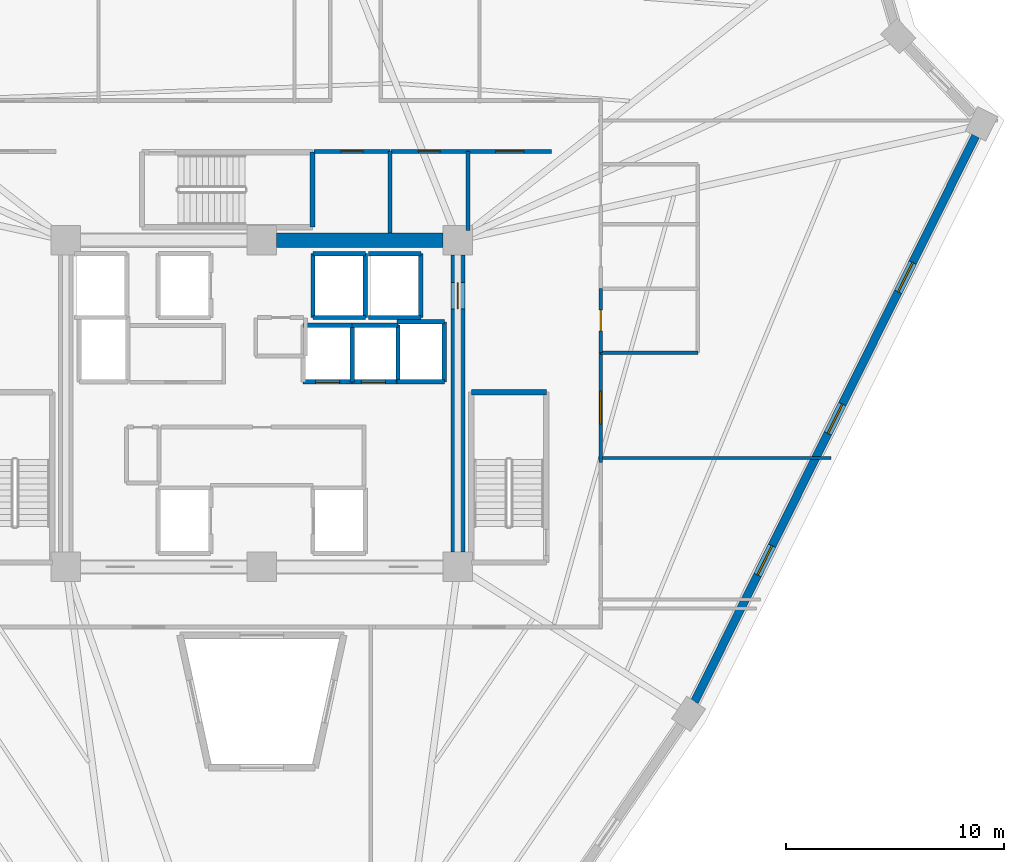
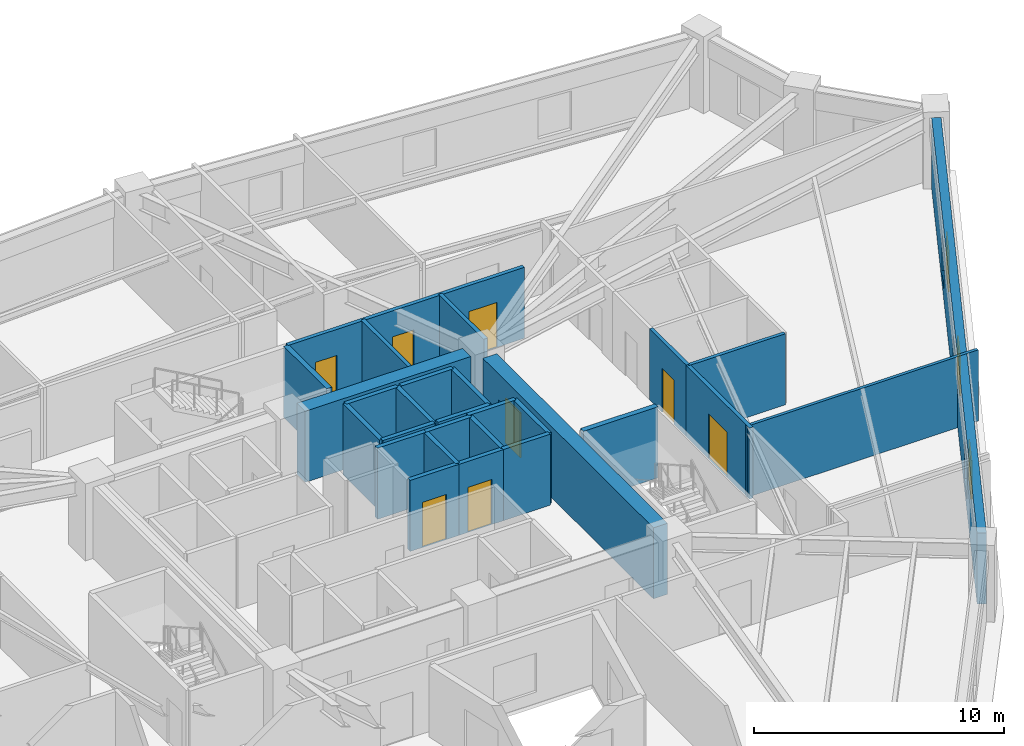
# One storey, part 6 of 9: 30 walls, 8 doors, 3 windows, 11 openings.
"""IFC4 building model written with IfcOpenShell, lengths in metres."""

from ifc_helpers import new_model, si_unit, direction, frame, frame_2d, origin, place, context, subcontext, project, spatial, rectangle, extrude, source, transform, mapped, material, layer, layer_set, type_object, element, fill, save


model = new_model("IFC4")

# Units and contexts
model_context = context("Model", 3, precision=1e-05, world=origin(), true_north=direction((0.0, 1.0)))
body_context = subcontext(model_context, "Body", "Model", "MODEL_VIEW")
ifc_project = project(units=[si_unit("LENGTHUNIT", "METRE"), si_unit("AREAUNIT", "SQUARE_METRE"), si_unit("VOLUMEUNIT", "CUBIC_METRE"), si_unit("PLANEANGLEUNIT", "RADIAN"), si_unit("MASSUNIT", "GRAM", prefix="KILO")], contexts=[model_context])

# Site, building, storey
site_placement = place(None, origin())
site = spatial("IfcSite", under=ifc_project, at=site_placement, CompositionType="ELEMENT")
building_placement = place(site_placement, origin())
building = spatial("IfcBuilding", under=site, at=building_placement, Name="Liaohun Quay Tower", CompositionType="ELEMENT")
storey_placement = place(building_placement, frame((0.0, 0.0, 228.0)))
storey = spatial("IfcBuildingStorey", under=building, at=storey_placement, Name="L59", CompositionType="ELEMENT", Elevation=228.0)

# Wall
ifc_material_1 = material(Name="Concrete C55", Category="concrete")
ifc_layer_1 = layer(ifc_material_1, 0.64990234375, Name="Concrete C55", Category="concrete")
ifc_layer_set_1 = layer_set([ifc_layer_1], Name="Concrete C55")
wall_type_1 = type_object("IfcWallType", Name="WAL-COR-Z3", PredefinedType="SHEAR", material=ifc_layer_set_1)
wall_1_placement = place(storey_placement, frame((60.675048828125, 61.5, 0.0), z_axis=(0.0, 0.0, 1.0), x_axis=(1.0, 0.0, 0.0)))
element("IfcWall", 1, at=wall_1_placement, inside=storey, type_object=wall_type_1, Name="L59 Central Core Shear Wall N-E", PredefinedType="SHEAR", context=body_context, shape_type="SweptSolid", body=[
    extrude(rectangle(XDim=7.64990234375, YDim=0.64990234375, at=frame_2d((3.824951171875, 0.0))), origin(), (0.0, 0.0, 1.0), 3.469970703125),
])

# Wall, opening, door
wall_2_placement = place(storey_placement, frame((69.0, 60.824951171875, 0.0), z_axis=(0.0, 0.0, 1.0), x_axis=(0.0, -1.0, 0.0)))
wall_2 = element("IfcWall", 2, at=wall_2_placement, inside=storey, type_object=wall_type_1, Name="L59 Central Core Shear Wall E", PredefinedType="SHEAR", context=body_context, shape_type="SweptSolid", body=[
    extrude(rectangle(XDim=13.64990234375, YDim=0.64990234375, at=frame_2d((6.824951171875, 0.0))), origin(), (0.0, 0.0, 1.0), 3.469970703125),
])
shared_shape_1 = source(origin(), body_context, "Body", "SweptSolid", [
    extrude(rectangle(XDim=1.199951171875, YDim=2.199951171875, at=frame_2d((0.60009765625, 1.10009765625))), frame((0.0, 0.3349609375, 0.0), z_axis=(0.0, -1.0, 0.0), x_axis=(1.0, 0.0, 0.0)), (0.0, 0.0, 1.0), 0.669921875),
])
opening_1_placement = place(wall_2_placement, frame((1.27490234375, 0.0, 0.0)))
opening_1 = element("IfcOpeningElement", 3, at=opening_1_placement, cuts=wall_2, Name="Opening SD1", PredefinedType="OPENING", context=body_context, shape_type="MappedRepresentation", body=[
    mapped(shared_shape_1, transform((0.0, 0.0, 0.0), x_axis=(1.0, 0.0, 0.0), y_axis=(0.0, 1.0, 0.0), z_axis=(0.0, 0.0, 1.0), scale=1.0)),
])
ifc_material_2 = material(Name="Galvanised steel fire door", Category="steel")
door_type_1 = type_object("IfcDoorType", Name="DOR-STR-1200", OperationType="NOTDEFINED", PredefinedType="DOOR", material=ifc_material_2)
shared_shape_2 = source(origin(), body_context, "Body", "SweptSolid", [
    extrude(rectangle(XDim=1.199951171875, YDim=2.199951171875, at=frame_2d((0.60009765625, 1.10009765625))), frame((0.0, 0.02490234375, 0.0), z_axis=(0.0, -1.0, 0.0), x_axis=(1.0, 0.0, 0.0)), (0.0, 0.0, 1.0), 0.050048828125),
])
door_1_placement = place(opening_1_placement, origin())
door_1 = element("IfcDoor", 4, at=door_1_placement, inside=storey, type_object=door_type_1, Name="L59 North-East Core Lobby Smokeproof Door", OperationType="SINGLE_SWING_LEFT", OverallHeight=2.199951171875, OverallWidth=1.199951171875, PredefinedType="DOOR", context=body_context, shape_type="MappedRepresentation", body=[
    mapped(shared_shape_2, transform((0.0, 0.0, 0.0), x_axis=(1.0, 0.0, 0.0), y_axis=(0.0, 1.0, 0.0), z_axis=(0.0, 0.0, 1.0), scale=1.0)),
])
fill(opening_1, door_1)

# Wall, openings, windows
ifc_material_3 = material(Name="Precast concrete C50 insulated sandwich", Category="concrete")
ifc_layer_2 = layer(ifc_material_3, 0.3798828125, Name="Precast concrete C50 insulated sandwich", Category="concrete")
ifc_layer_set_2 = layer_set([ifc_layer_2], Name="Precast concrete C50 insulated sandwich")
wall_type_2 = type_object("IfcWallType", Name="WAL-EXT-Z34", PredefinedType="SOLIDWALL", material=ifc_layer_set_2)
wall_3_placement = place(storey_placement, frame((79.866943359375, 40.304931640625, 0.0), z_axis=(0.0, 0.0, 1.0), x_axis=(0.444873284972, 0.895593524049, 0.0)))
wall_3 = element("IfcWall", 5, at=wall_3_placement, inside=storey, type_object=wall_type_2, Name="L59 Brutalist Precast Pier Wall 03", PredefinedType="SOLIDWALL", context=body_context, shape_type="SweptSolid", body=[
    extrude(rectangle(XDim=29.019775390625, YDim=0.3798828125, at=frame_2d((14.509765625, 0.0))), origin(), (0.0, 0.0, 1.0), 3.469970703125),
])
shared_shape_3 = source(origin(), body_context, "Body", "SweptSolid", [
    extrude(rectangle(XDim=1.5, YDim=1.89990234375, at=frame_2d((0.75, 0.949951171875))), frame((0.0, 0.199951171875, 0.0), z_axis=(0.0, -1.0, 0.0), x_axis=(1.0, 0.0, 0.0)), (0.0, 0.0, 1.0), 0.39990234375),
])
opening_2_placement = place(wall_3_placement, frame((6.5048828125, 0.0, 0.550048828125)))
opening_2 = element("IfcOpeningElement", 6, at=opening_2_placement, cuts=wall_3, Name="Opening W03", PredefinedType="OPENING", context=body_context, shape_type="MappedRepresentation", body=[
    mapped(shared_shape_3, transform((0.0, 0.0, 0.0), x_axis=(1.0, 0.0, 0.0), y_axis=(0.0, 1.0, 0.0), z_axis=(0.0, 0.0, 1.0), scale=1.0)),
])
opening_3_placement = place(wall_3_placement, frame((13.760009765625, 0.0, 0.550048828125)))
opening_3 = element("IfcOpeningElement", 7, at=opening_3_placement, cuts=wall_3, Name="Opening W03", PredefinedType="OPENING", context=body_context, shape_type="MappedRepresentation", body=[
    mapped(shared_shape_3, transform((0.0, 0.0, 0.0), x_axis=(1.0, 0.0, 0.0), y_axis=(0.0, 1.0, 0.0), z_axis=(0.0, 0.0, 1.0), scale=1.0)),
])
opening_4_placement = place(wall_3_placement, frame((21.014892578125, 0.0, 0.550048828125)))
opening_4 = element("IfcOpeningElement", 8, at=opening_4_placement, cuts=wall_3, Name="Opening W03", PredefinedType="OPENING", context=body_context, shape_type="MappedRepresentation", body=[
    mapped(shared_shape_3, transform((0.0, 0.0, 0.0), x_axis=(1.0, 0.0, 0.0), y_axis=(0.0, 1.0, 0.0), z_axis=(0.0, 0.0, 1.0), scale=1.0)),
])
ifc_material_4 = material(Name="Triple Low-E argon glazing in thermally broken aluminium", Category="aluminium")
window_type = type_object("IfcWindowType", Name="WIN-PUN-Z3", PartitioningType="DOUBLE_PANEL_VERTICAL", PredefinedType="WINDOW", material=ifc_material_4)
shared_shape_4 = source(origin(), body_context, "Body", "SweptSolid", [
    extrude(rectangle(XDim=1.5, YDim=1.89990234375, at=frame_2d((0.75, 0.949951171875))), frame((0.0, 0.030029296875, 0.0), z_axis=(0.0, -1.0, 0.0), x_axis=(1.0, 0.0, 0.0)), (0.0, 0.0, 1.0), 0.06005859375),
])
window_1_placement = place(opening_2_placement, origin())
window_1 = element("IfcWindow", 9, at=window_1_placement, inside=storey, type_object=window_type, Name="L59 Recessed Cold-Climate Punched Window 03-1", OverallHeight=1.89990234375, OverallWidth=1.5, PartitioningType="DOUBLE_PANEL_VERTICAL", PredefinedType="WINDOW", context=body_context, shape_type="MappedRepresentation", body=[
    mapped(shared_shape_4, transform((0.0, 0.0, 0.0), x_axis=(1.0, 0.0, 0.0), y_axis=(0.0, 1.0, 0.0), z_axis=(0.0, 0.0, 1.0), scale=1.0)),
])
fill(opening_2, window_1)
window_2_placement = place(opening_3_placement, origin())
window_2 = element("IfcWindow", 10, at=window_2_placement, inside=storey, type_object=window_type, Name="L59 Recessed Cold-Climate Punched Window 03-2", OverallHeight=1.89990234375, OverallWidth=1.5, PartitioningType="DOUBLE_PANEL_VERTICAL", PredefinedType="WINDOW", context=body_context, shape_type="MappedRepresentation", body=[
    mapped(shared_shape_4, transform((0.0, 0.0, 0.0), x_axis=(1.0, 0.0, 0.0), y_axis=(0.0, 1.0, 0.0), z_axis=(0.0, 0.0, 1.0), scale=1.0)),
])
fill(opening_3, window_2)
window_3_placement = place(opening_4_placement, origin())
window_3 = element("IfcWindow", 11, at=window_3_placement, inside=storey, type_object=window_type, Name="L59 Recessed Cold-Climate Punched Window 03-3", OverallHeight=1.89990234375, OverallWidth=1.5, PartitioningType="DOUBLE_PANEL_VERTICAL", PredefinedType="WINDOW", context=body_context, shape_type="MappedRepresentation", body=[
    mapped(shared_shape_4, transform((0.0, 0.0, 0.0), x_axis=(1.0, 0.0, 0.0), y_axis=(0.0, 1.0, 0.0), z_axis=(0.0, 0.0, 1.0), scale=1.0)),
])
fill(opening_4, window_3)

# Wall, opening, door
ifc_material_5 = material(Name="Autoclaved aerated concrete blockwork", Category="masonry")
ifc_layer_3 = layer(ifc_material_5, 0.179931640625, Name="Autoclaved aerated concrete blockwork", Category="masonry")
ifc_layer_set_3 = layer_set([ifc_layer_3], Name="Autoclaved aerated concrete blockwork")
wall_type_3 = type_object("IfcWallType", Name="WAL-PRT-COR", PredefinedType="PARTITIONING", material=ifc_layer_set_3)
wall_4_placement = place(storey_placement, frame((62.389892578125, 65.580078125, 0.0), z_axis=(0.0, 0.0, 1.0), x_axis=(1.0, 0.0, 0.0)))
wall_4 = element("IfcWall", 12, at=wall_4_placement, inside=storey, type_object=wall_type_3, Name="L59 Interior Partition Wall 008", PredefinedType="PARTITIONING", context=body_context, shape_type="SweptSolid", body=[
    extrude(rectangle(XDim=3.489990234375, YDim=0.179931640625, at=frame_2d((1.7451171875, 0.0))), origin(), (0.0, 0.0, 1.0), 3.469970703125),
])
shared_shape_5 = source(origin(), body_context, "Body", "SweptSolid", [
    extrude(rectangle(XDim=1.0, YDim=2.199951171875, at=frame_2d((0.5, 1.10009765625))), frame((0.0, 0.099853515625, 0.0), z_axis=(0.0, -1.0, 0.0), x_axis=(1.0, 0.0, 0.0)), (0.0, 0.0, 1.0), 0.199951171875),
])
opening_5_placement = place(wall_4_placement, frame((1.2451171875, 0.0, 0.0)))
opening_5 = element("IfcOpeningElement", 13, at=opening_5_placement, cuts=wall_4, Name="Opening OD1", PredefinedType="OPENING", context=body_context, shape_type="MappedRepresentation", body=[
    mapped(shared_shape_5, transform((0.0, 0.0, 0.0), x_axis=(1.0, 0.0, 0.0), y_axis=(0.0, 1.0, 0.0), z_axis=(0.0, 0.0, 1.0), scale=1.0)),
])
ifc_material_6 = material(Name="Solid-core oak veneer timber leaf in steel frame", Category="steel")
door_type_2 = type_object("IfcDoorType", Name="DOR-OFF-1000", OperationType="NOTDEFINED", PredefinedType="DOOR", material=ifc_material_6)
shared_shape_6 = source(origin(), body_context, "Body", "SweptSolid", [
    extrude(rectangle(XDim=1.0, YDim=2.199951171875, at=frame_2d((0.5, 1.10009765625))), frame((0.0, 0.02490234375, 0.0), z_axis=(0.0, -1.0, 0.0), x_axis=(1.0, 0.0, 0.0)), (0.0, 0.0, 1.0), 0.050048828125),
])
door_2_placement = place(opening_5_placement, origin())
door_2 = element("IfcDoor", 14, at=door_2_placement, inside=storey, type_object=door_type_2, Name="L59 North-East Archive Store Door", OperationType="SINGLE_SWING_LEFT", OverallHeight=2.199951171875, OverallWidth=1.0, PredefinedType="DOOR", context=body_context, shape_type="MappedRepresentation", body=[
    mapped(shared_shape_6, transform((0.0, 0.0, 0.0), x_axis=(1.0, 0.0, 0.0), y_axis=(0.0, 1.0, 0.0), z_axis=(0.0, 0.0, 1.0), scale=1.0)),
])
fill(opening_5, door_2)

wall_5_placement = place(storey_placement, frame((65.919921875, 65.580078125, 0.0), z_axis=(0.0, 0.0, 1.0), x_axis=(1.0, 0.0, 0.0)))
wall_5 = element("IfcWall", 15, at=wall_5_placement, inside=storey, type_object=wall_type_3, Name="L59 Interior Partition Wall 009", PredefinedType="PARTITIONING", context=body_context, shape_type="SweptSolid", body=[
    extrude(rectangle(XDim=3.5400390625, YDim=0.179931640625, at=frame_2d((1.77001953125, 0.0))), origin(), (0.0, 0.0, 1.0), 3.469970703125),
])
opening_6_placement = place(wall_5_placement, frame((1.27001953125, 0.0, 0.0)))
opening_6 = element("IfcOpeningElement", 16, at=opening_6_placement, cuts=wall_5, Name="Opening OD1", PredefinedType="OPENING", context=body_context, shape_type="MappedRepresentation", body=[
    mapped(shared_shape_5, transform((0.0, 0.0, 0.0), x_axis=(1.0, 0.0, 0.0), y_axis=(0.0, 1.0, 0.0), z_axis=(0.0, 0.0, 1.0), scale=1.0)),
])
door_3_placement = place(opening_6_placement, origin())
door_3 = element("IfcDoor", 17, at=door_3_placement, inside=storey, type_object=door_type_2, Name="L59 North-East Pantry Room Door", OperationType="SINGLE_SWING_RIGHT", OverallHeight=2.199951171875, OverallWidth=1.0, PredefinedType="DOOR", context=body_context, shape_type="MappedRepresentation", body=[
    mapped(shared_shape_6, transform((0.0, 0.0, 0.0), x_axis=(1.0, 0.0, 0.0), y_axis=(0.0, 1.0, 0.0), z_axis=(0.0, 0.0, 1.0), scale=1.0)),
])
fill(opening_6, door_3)

wall_6_placement = place(storey_placement, frame((69.4599609375, 65.580078125, 0.0), z_axis=(0.0, 0.0, 1.0), x_axis=(1.0, 0.0, 0.0)))
wall_6 = element("IfcWall", 18, at=wall_6_placement, inside=storey, type_object=wall_type_3, Name="L59 Interior Partition Wall 011", PredefinedType="PARTITIONING", context=body_context, shape_type="SweptSolid", body=[
    extrude(rectangle(XDim=3.840087890625, YDim=0.179931640625, at=frame_2d((1.919921875, 0.0))), origin(), (0.0, 0.0, 1.0), 3.469970703125),
])
shared_shape_7 = source(origin(), body_context, "Body", "SweptSolid", [
    extrude(rectangle(XDim=1.300048828125, YDim=2.199951171875, at=frame_2d((0.64990234375, 1.10009765625))), frame((0.0, 0.099853515625, 0.0), z_axis=(0.0, -1.0, 0.0), x_axis=(1.0, 0.0, 0.0)), (0.0, 0.0, 1.0), 0.199951171875),
])
opening_7_placement = place(wall_6_placement, frame((1.27001953125, 0.0, 0.0)))
opening_7 = element("IfcOpeningElement", 19, at=opening_7_placement, cuts=wall_6, Name="Opening FD1", PredefinedType="OPENING", context=body_context, shape_type="MappedRepresentation", body=[
    mapped(shared_shape_7, transform((0.0, 0.0, 0.0), x_axis=(1.0, 0.0, 0.0), y_axis=(0.0, 1.0, 0.0), z_axis=(0.0, 0.0, 1.0), scale=1.0)),
])
ifc_material_7 = material(Name="Galvanised steel smokeproof fire door", Category="steel")
door_type_3 = type_object("IfcDoorType", Name="DOR-FFL-1300", OperationType="NOTDEFINED", PredefinedType="DOOR", material=ifc_material_7)
shared_shape_8 = source(origin(), body_context, "Body", "SweptSolid", [
    extrude(rectangle(XDim=1.300048828125, YDim=2.199951171875, at=frame_2d((0.64990234375, 1.10009765625))), frame((0.0, 0.02490234375, 0.0), z_axis=(0.0, -1.0, 0.0), x_axis=(1.0, 0.0, 0.0)), (0.0, 0.0, 1.0), 0.050048828125),
])
door_4_placement = place(opening_7_placement, origin())
door_4 = element("IfcDoor", 20, at=door_4_placement, inside=storey, type_object=door_type_3, Name="L59 East Core Vestibule Door", OperationType="SINGLE_SWING_RIGHT", OverallHeight=2.199951171875, OverallWidth=1.300048828125, PredefinedType="DOOR", context=body_context, shape_type="MappedRepresentation", body=[
    mapped(shared_shape_8, transform((0.0, 0.0, 0.0), x_axis=(1.0, 0.0, 0.0), y_axis=(0.0, 1.0, 0.0), z_axis=(0.0, 0.0, 1.0), scale=1.0)),
])
fill(opening_7, door_4)

wall_7_placement = place(storey_placement, frame((75.56005859375, 56.340087890625, 0.0), z_axis=(0.0, 0.0, 1.0), x_axis=(0.0, -1.0, 0.0)))
wall_7 = element("IfcWall", 21, at=wall_7_placement, inside=storey, type_object=wall_type_3, Name="L59 Interior Partition Wall 012", PredefinedType="PARTITIONING", context=body_context, shape_type="SweptSolid", body=[
    extrude(rectangle(XDim=5.05517578125, YDim=0.179931640625, at=frame_2d((2.527587890625, 0.0))), origin(), (0.0, 0.0, 1.0), 3.469970703125),
])
shared_shape_9 = source(origin(), body_context, "Body", "SweptSolid", [
    extrude(rectangle(XDim=1.5, YDim=2.199951171875, at=frame_2d((0.75, 1.10009765625))), frame((0.0, 0.099853515625, 0.0), z_axis=(0.0, -1.0, 0.0), x_axis=(1.0, 0.0, 0.0)), (0.0, 0.0, 1.0), 0.199951171875),
])
opening_8_placement = place(wall_7_placement, frame((1.778076171875, 0.0, 0.0)))
opening_8 = element("IfcOpeningElement", 22, at=opening_8_placement, cuts=wall_7, Name="Opening OD2", PredefinedType="OPENING", context=body_context, shape_type="MappedRepresentation", body=[
    mapped(shared_shape_9, transform((0.0, 0.0, 0.0), x_axis=(1.0, 0.0, 0.0), y_axis=(0.0, 1.0, 0.0), z_axis=(0.0, 0.0, 1.0), scale=1.0)),
])
ifc_material_8 = material(Name="Acoustic oak veneer double door")
door_type_4 = type_object("IfcDoorType", Name="DOR-OFF-1500", OperationType="DOUBLE_DOOR_SINGLE_SWING", PredefinedType="DOOR", material=ifc_material_8)
shared_shape_10 = source(origin(), body_context, "Body", "SweptSolid", [
    extrude(rectangle(XDim=1.5, YDim=2.199951171875, at=frame_2d((0.75, 1.10009765625))), frame((0.0, 0.02490234375, 0.0), z_axis=(0.0, -1.0, 0.0), x_axis=(1.0, 0.0, 0.0)), (0.0, 0.0, 1.0), 0.050048828125),
])
door_5_placement = place(opening_8_placement, origin())
door_5 = element("IfcDoor", 23, at=door_5_placement, inside=storey, type_object=door_type_4, Name="L59 Staff Daycare Nursery 01 Door", OperationType="DOUBLE_DOOR_SINGLE_SWING", OverallHeight=2.199951171875, OverallWidth=1.5, PredefinedType="DOOR", context=body_context, shape_type="MappedRepresentation", body=[
    mapped(shared_shape_10, transform((0.0, 0.0, 0.0), x_axis=(1.0, 0.0, 0.0), y_axis=(0.0, 1.0, 0.0), z_axis=(0.0, 0.0, 1.0), scale=1.0)),
])
fill(opening_8, door_5)

# Walls
wall_8_placement = place(storey_placement, frame((65.8798828125, 61.824951171875, 0.0), z_axis=(0.0, 0.0, 1.0), x_axis=(0.0, 1.0, 0.0)))
element("IfcWall", 24, at=wall_8_placement, inside=storey, type_object=wall_type_3, Name="L59 Interior Partition Wall 035", PredefinedType="PARTITIONING", context=body_context, shape_type="SweptSolid", body=[
    extrude(rectangle(XDim=3.755126953125, YDim=0.179931640625, at=frame_2d((1.87744140625, 0.0))), origin(), (0.0, 0.0, 1.0), 3.469970703125),
])
wall_9_placement = place(storey_placement, frame((69.4599609375, 61.949951171875, 0.0), z_axis=(0.0, 0.0, 1.0), x_axis=(0.0, 1.0, 0.0)))
element("IfcWall", 25, at=wall_9_placement, inside=storey, type_object=wall_type_3, Name="L59 Interior Partition Wall 036", PredefinedType="PARTITIONING", context=body_context, shape_type="SweptSolid", body=[
    extrude(rectangle(XDim=3.630126953125, YDim=0.179931640625, at=frame_2d((1.81494140625, 0.0))), origin(), (0.0, 0.0, 1.0), 3.469970703125),
])
ifc_material_9 = material(Name="Gypsum board on twin steel studs", Category="steel")
ifc_layer_4 = layer(ifc_material_9, 0.139892578125, Name="Gypsum board on twin steel studs", Category="steel")
ifc_layer_set_4 = layer_set([ifc_layer_4], Name="Gypsum board on twin steel studs")
wall_type_4 = type_object("IfcWallType", Name="WAL-PRT-OFF", PredefinedType="PARTITIONING", material=ifc_layer_set_4)
wall_10_placement = place(storey_placement, frame((75.4599609375, 51.5, 0.0), z_axis=(0.0, 0.0, 1.0), x_axis=(1.0, 0.0, 0.0)))
element("IfcWall", 26, at=wall_10_placement, inside=storey, type_object=wall_type_4, Name="L59 Interior Partition Wall 052", PredefinedType="PARTITIONING", context=body_context, shape_type="SweptSolid", body=[
    extrude(rectangle(XDim=10.671142578125, YDim=0.139892578125, at=frame_2d((5.33544921875, 0.0))), origin(), (0.0, 0.0, 1.0), 3.469970703125),
])

# Wall, opening, door
ifc_material_10 = material(Name="Moisture-resistant masonry blockwork", Category="masonry")
ifc_layer_5 = layer(ifc_material_10, 0.159912109375, Name="Moisture-resistant masonry blockwork", Category="masonry")
ifc_layer_set_5 = layer_set([ifc_layer_5], Name="Moisture-resistant masonry blockwork")
wall_type_5 = type_object("IfcWallType", Name="WAL-PRT-WET", PredefinedType="PARTITIONING", material=ifc_layer_set_5)
wall_11_placement = place(storey_placement, frame((75.56005859375, 56.340087890625, 0.0), z_axis=(0.0, 0.0, 1.0), x_axis=(0.0, 1.0, 0.0)))
wall_11 = element("IfcWall", 27, at=wall_11_placement, inside=storey, type_object=wall_type_5, Name="L59 Interior Partition Wall 005", PredefinedType="PARTITIONING", context=body_context, shape_type="SweptSolid", body=[
    extrude(rectangle(XDim=2.93994140625, YDim=0.159912109375, at=frame_2d((1.469970703125, 0.0))), origin(), (0.0, 0.0, 1.0), 3.469970703125),
])
shared_shape_11 = source(origin(), body_context, "Body", "SweptSolid", [
    extrude(rectangle(XDim=0.949951171875, YDim=2.14990234375, at=frame_2d((0.47509765625, 1.074951171875))), frame((0.0, 0.08984375, 0.0), z_axis=(0.0, -1.0, 0.0), x_axis=(1.0, 0.0, 0.0)), (0.0, 0.0, 1.0), 0.179931640625),
])
opening_9_placement = place(wall_11_placement, frame((0.9951171875, 0.0, 0.0)))
opening_9 = element("IfcOpeningElement", 28, at=opening_9_placement, cuts=wall_11, Name="Opening WD1", PredefinedType="OPENING", context=body_context, shape_type="MappedRepresentation", body=[
    mapped(shared_shape_11, transform((0.0, 0.0, 0.0), x_axis=(1.0, 0.0, 0.0), y_axis=(0.0, 1.0, 0.0), z_axis=(0.0, 0.0, 1.0), scale=1.0)),
])
ifc_material_11 = material(Name="Moisture-resistant laminate timber leaf", Category="wood")
door_type_5 = type_object("IfcDoorType", Name="DOR-WC-950", OperationType="NOTDEFINED", PredefinedType="DOOR", material=ifc_material_11)
shared_shape_12 = source(origin(), body_context, "Body", "SweptSolid", [
    extrude(rectangle(XDim=0.949951171875, YDim=2.14990234375, at=frame_2d((0.47509765625, 1.074951171875))), frame((0.0, 0.02490234375, 0.0), z_axis=(0.0, -1.0, 0.0), x_axis=(1.0, 0.0, 0.0)), (0.0, 0.0, 1.0), 0.050048828125),
])
door_6_placement = place(opening_9_placement, origin())
door_6 = element("IfcDoor", 29, at=door_6_placement, inside=storey, type_object=door_type_5, Name="L59 Male Restroom WC Door", OperationType="SINGLE_SWING_RIGHT", OverallHeight=2.14990234375, OverallWidth=0.949951171875, PredefinedType="DOOR", context=body_context, shape_type="MappedRepresentation", body=[
    mapped(shared_shape_12, transform((0.0, 0.0, 0.0), x_axis=(1.0, 0.0, 0.0), y_axis=(0.0, 1.0, 0.0), z_axis=(0.0, 0.0, 1.0), scale=1.0)),
])
fill(opening_9, door_6)

# Walls
wall_12_placement = place(storey_placement, frame((75.56005859375, 56.340087890625, 0.0), z_axis=(0.0, 0.0, 1.0), x_axis=(1.0, 0.0, 0.0)))
element("IfcWall", 30, at=wall_12_placement, inside=storey, type_object=wall_type_5, Name="L59 Interior Partition Wall 031", PredefinedType="PARTITIONING", context=body_context, shape_type="SweptSolid", body=[
    extrude(rectangle(XDim=4.4599609375, YDim=0.159912109375, at=frame_2d((2.22998046875, 0.0))), origin(), (0.0, 0.0, 1.0), 3.469970703125),
])
ifc_material_12 = material(Name="Concrete C50", Category="concrete")
ifc_layer_6 = layer(ifc_material_12, 0.239990234375, Name="Concrete C50", Category="concrete")
ifc_layer_set_6 = layer_set([ifc_layer_6], Name="Concrete C50")
wall_type_6 = type_object("IfcWallType", Name="WAL-SHF-200", PredefinedType="SOLIDWALL", material=ifc_layer_set_6)
for number, where, z_axis, x_axis, name in (
    (31, (73.06005859375, 54.52001953125, 0.0), (0.0, 0.0, 1.0), (-1.0, 0.0, 0.0), "L59 Stairwell ST-2 Structural Core Wall N"),
    (32, (62.320068359375, 62.10009765625, 0.0), (0.0, 0.0, 1.0), (0.0, 1.0, 0.0), "L59 Stairwell ST-3 Structural Core Wall E"),
):
    element("IfcWall", number, at=place(storey_placement, frame(where, z_axis=z_axis, x_axis=x_axis)), inside=storey, type_object=wall_type_6, Name=name, PredefinedType="SOLIDWALL", context=body_context, shape_type="SweptSolid", body=[
        extrude(rectangle(XDim=3.43994140625, YDim=0.239990234375, at=frame_2d((1.719970703125, 0.0))), origin(), (0.0, 0.0, 1.0), 3.469970703125),
    ])
wall_13_placement = place(storey_placement, frame((62.35009765625, 57.949951171875, 0.0), z_axis=(0.0, 0.0, 1.0), x_axis=(1.0, 0.0, 0.0)))
element("IfcWall", 33, at=wall_13_placement, inside=storey, type_object=wall_type_6, Name="L59 Lift OB-01 Hoistway Wall S", PredefinedType="SOLIDWALL", context=body_context, shape_type="SweptSolid", body=[
    extrude(rectangle(XDim=2.39990234375, YDim=0.199951171875, at=frame_2d((1.199951171875, 0.0))), origin(), (0.0, 0.0, 1.0), 3.469970703125),
])
wall_14_placement = place(storey_placement, frame((64.75, 57.949951171875, 0.0), z_axis=(0.0, 0.0, 1.0), x_axis=(0.0, 1.0, 0.0)))
element("IfcWall", 34, at=wall_14_placement, inside=storey, type_object=wall_type_6, Name="L59 Lift OB-01 Hoistway Wall E", PredefinedType="SOLIDWALL", context=body_context, shape_type="SweptSolid", body=[
    extrude(rectangle(XDim=2.929931640625, YDim=0.199951171875, at=frame_2d((1.46484375, 0.0))), origin(), (0.0, 0.0, 1.0), 3.469970703125),
])
wall_15_placement = place(storey_placement, frame((64.75, 60.8798828125, 0.0), z_axis=(0.0, 0.0, 1.0), x_axis=(-1.0, 0.0, 0.0)))
element("IfcWall", 35, at=wall_15_placement, inside=storey, type_object=wall_type_6, Name="L59 Lift OB-01 Hoistway Wall N", PredefinedType="SOLIDWALL", context=body_context, shape_type="SweptSolid", body=[
    extrude(rectangle(XDim=2.39990234375, YDim=0.199951171875, at=frame_2d((1.199951171875, 0.0))), origin(), (0.0, 0.0, 1.0), 3.469970703125),
])
wall_16_placement = place(storey_placement, frame((62.35009765625, 60.8798828125, 0.0), z_axis=(0.0, 0.0, 1.0), x_axis=(0.0, -1.0, 0.0)))
element("IfcWall", 36, at=wall_16_placement, inside=storey, type_object=wall_type_6, Name="L59 Lift OB-01 Hoistway Wall W", PredefinedType="SOLIDWALL", context=body_context, shape_type="SweptSolid", body=[
    extrude(rectangle(XDim=2.929931640625, YDim=0.199951171875, at=frame_2d((1.46484375, 0.0))), origin(), (0.0, 0.0, 1.0), 3.469970703125),
])
wall_17_placement = place(storey_placement, frame((64.89990234375, 57.949951171875, 0.0), z_axis=(0.0, 0.0, 1.0), x_axis=(1.0, 0.0, 0.0)))
element("IfcWall", 37, at=wall_17_placement, inside=storey, type_object=wall_type_6, Name="L59 Lift OB-02 Hoistway Wall S", PredefinedType="SOLIDWALL", context=body_context, shape_type="SweptSolid", body=[
    extrude(rectangle(XDim=2.400146484375, YDim=0.199951171875, at=frame_2d((1.2001953125, 0.0))), origin(), (0.0, 0.0, 1.0), 3.469970703125),
])
wall_18_placement = place(storey_placement, frame((67.300048828125, 57.949951171875, 0.0), z_axis=(0.0, 0.0, 1.0), x_axis=(0.0, 1.0, 0.0)))
element("IfcWall", 38, at=wall_18_placement, inside=storey, type_object=wall_type_6, Name="L59 Lift OB-02 Hoistway Wall E", PredefinedType="SOLIDWALL", context=body_context, shape_type="SweptSolid", body=[
    extrude(rectangle(XDim=2.929931640625, YDim=0.199951171875, at=frame_2d((1.46484375, 0.0))), origin(), (0.0, 0.0, 1.0), 3.469970703125),
])
wall_19_placement = place(storey_placement, frame((67.300048828125, 60.8798828125, 0.0), z_axis=(0.0, 0.0, 1.0), x_axis=(-1.0, 0.0, 0.0)))
element("IfcWall", 39, at=wall_19_placement, inside=storey, type_object=wall_type_6, Name="L59 Lift OB-02 Hoistway Wall N", PredefinedType="SOLIDWALL", context=body_context, shape_type="SweptSolid", body=[
    extrude(rectangle(XDim=2.400146484375, YDim=0.199951171875, at=frame_2d((1.2001953125, 0.0))), origin(), (0.0, 0.0, 1.0), 3.469970703125),
])
wall_20_placement = place(storey_placement, frame((66.199951171875, 55.0, 0.0), z_axis=(0.0, 0.0, 1.0), x_axis=(1.0, 0.0, 0.0)))
element("IfcWall", 40, at=wall_20_placement, inside=storey, type_object=wall_type_6, Name="L59 Lift SH-03 Hoistway Wall S", PredefinedType="SOLIDWALL", context=body_context, shape_type="SweptSolid", body=[
    extrude(rectangle(XDim=2.179931640625, YDim=0.199951171875, at=frame_2d((1.08984375, 0.0))), origin(), (0.0, 0.0, 1.0), 3.469970703125),
])
wall_21_placement = place(storey_placement, frame((68.3798828125, 55.0, 0.0), z_axis=(0.0, 0.0, 1.0), x_axis=(0.0, 1.0, 0.0)))
element("IfcWall", 41, at=wall_21_placement, inside=storey, type_object=wall_type_6, Name="L59 Lift SH-03 Hoistway Wall E", PredefinedType="SOLIDWALL", context=body_context, shape_type="SweptSolid", body=[
    extrude(rectangle(XDim=2.75, YDim=0.199951171875, at=frame_2d((1.375, 0.0))), origin(), (0.0, 0.0, 1.0), 3.469970703125),
])
wall_22_placement = place(storey_placement, frame((68.3798828125, 57.75, 0.0), z_axis=(0.0, 0.0, 1.0), x_axis=(-1.0, 0.0, 0.0)))
element("IfcWall", 42, at=wall_22_placement, inside=storey, type_object=wall_type_6, Name="L59 Lift SH-03 Hoistway Wall N", PredefinedType="SOLIDWALL", context=body_context, shape_type="SweptSolid", body=[
    extrude(rectangle(XDim=2.179931640625, YDim=0.199951171875, at=frame_2d((1.08984375, 0.0))), origin(), (0.0, 0.0, 1.0), 3.469970703125),
])

# Wall, opening, door
wall_23_placement = place(storey_placement, frame((61.89990234375, 55.0, 0.0), z_axis=(0.0, 0.0, 1.0), x_axis=(1.0, 0.0, 0.0)))
wall_23 = element("IfcWall", 43, at=wall_23_placement, inside=storey, type_object=wall_type_6, Name="L59 Lift PL-3A Hoistway Wall S", PredefinedType="SOLIDWALL", context=body_context, shape_type="SweptSolid", body=[
    extrude(rectangle(XDim=2.25, YDim=0.199951171875, at=frame_2d((1.125, 0.0))), origin(), (0.0, 0.0, 1.0), 3.469970703125),
])
shared_shape_13 = source(origin(), body_context, "Body", "SweptSolid", [
    extrude(rectangle(XDim=1.10009765625, YDim=2.199951171875, at=frame_2d((0.550048828125, 1.10009765625))), frame((0.0, 0.10986328125, 0.0), z_axis=(0.0, -1.0, 0.0), x_axis=(1.0, 0.0, 0.0)), (0.0, 0.0, 1.0), 0.219970703125),
])
opening_10_placement = place(wall_23_placement, frame((0.574951171875, 0.0, 0.0)))
opening_10 = element("IfcOpeningElement", 44, at=opening_10_placement, cuts=wall_23, Name="Opening LD1", PredefinedType="OPENING", context=body_context, shape_type="MappedRepresentation", body=[
    mapped(shared_shape_13, transform((0.0, 0.0, 0.0), x_axis=(1.0, 0.0, 0.0), y_axis=(0.0, 1.0, 0.0), z_axis=(0.0, 0.0, 1.0), scale=1.0)),
])
ifc_material_13 = material(Name="Brushed stainless steel landing door", Category="steel")
door_type_6 = type_object("IfcDoorType", Name="DOR-LFT-1100", OperationType="SLIDING_TO_LEFT", PredefinedType="DOOR", material=ifc_material_13)
shared_shape_14 = source(origin(), body_context, "Body", "SweptSolid", [
    extrude(rectangle(XDim=1.10009765625, YDim=2.199951171875, at=frame_2d((0.550048828125, 1.10009765625))), frame((0.0, 0.02490234375, 0.0), z_axis=(0.0, -1.0, 0.0), x_axis=(1.0, 0.0, 0.0)), (0.0, 0.0, 1.0), 0.050048828125),
])
door_7_placement = place(opening_10_placement, origin())
door_7 = element("IfcDoor", 45, at=door_7_placement, inside=storey, type_object=door_type_6, Name="L59 Lift PL-3A Sliding Landing Door", OperationType="SLIDING_TO_LEFT", OverallHeight=2.199951171875, OverallWidth=1.10009765625, PredefinedType="DOOR", context=body_context, shape_type="MappedRepresentation", body=[
    mapped(shared_shape_14, transform((0.0, 0.0, 0.0), x_axis=(1.0, 0.0, 0.0), y_axis=(0.0, 1.0, 0.0), z_axis=(0.0, 0.0, 1.0), scale=1.0)),
])
fill(opening_10, door_7)

# Walls
wall_24_placement = place(storey_placement, frame((64.14990234375, 55.0, 0.0), z_axis=(0.0, 0.0, 1.0), x_axis=(0.0, 1.0, 0.0)))
element("IfcWall", 46, at=wall_24_placement, inside=storey, type_object=wall_type_6, Name="L59 Lift PL-3A Hoistway Wall E", PredefinedType="SOLIDWALL", context=body_context, shape_type="SweptSolid", body=[
    extrude(rectangle(XDim=2.60009765625, YDim=0.199951171875, at=frame_2d((1.300048828125, 0.0))), origin(), (0.0, 0.0, 1.0), 3.469970703125),
])
wall_25_placement = place(storey_placement, frame((64.14990234375, 57.60009765625, 0.0), z_axis=(0.0, 0.0, 1.0), x_axis=(-1.0, 0.0, 0.0)))
element("IfcWall", 47, at=wall_25_placement, inside=storey, type_object=wall_type_6, Name="L59 Lift PL-3A Hoistway Wall N", PredefinedType="SOLIDWALL", context=body_context, shape_type="SweptSolid", body=[
    extrude(rectangle(XDim=2.25, YDim=0.199951171875, at=frame_2d((1.125, 0.0))), origin(), (0.0, 0.0, 1.0), 3.469970703125),
])

# Wall, opening, door
wall_26_placement = place(storey_placement, frame((64.0, 55.0, 0.0), z_axis=(0.0, 0.0, 1.0), x_axis=(1.0, 0.0, 0.0)))
wall_26 = element("IfcWall", 48, at=wall_26_placement, inside=storey, type_object=wall_type_6, Name="L59 Lift PL-3B Hoistway Wall S", PredefinedType="SOLIDWALL", context=body_context, shape_type="SweptSolid", body=[
    extrude(rectangle(XDim=2.25, YDim=0.199951171875, at=frame_2d((1.125, 0.0))), origin(), (0.0, 0.0, 1.0), 3.469970703125),
])
opening_11_placement = place(wall_26_placement, frame((0.574951171875, 0.0, 0.0)))
opening_11 = element("IfcOpeningElement", 49, at=opening_11_placement, cuts=wall_26, Name="Opening LD1", PredefinedType="OPENING", context=body_context, shape_type="MappedRepresentation", body=[
    mapped(shared_shape_13, transform((0.0, 0.0, 0.0), x_axis=(1.0, 0.0, 0.0), y_axis=(0.0, 1.0, 0.0), z_axis=(0.0, 0.0, 1.0), scale=1.0)),
])
door_8_placement = place(opening_11_placement, origin())
door_8 = element("IfcDoor", 50, at=door_8_placement, inside=storey, type_object=door_type_6, Name="L59 Lift PL-3B Sliding Landing Door", OperationType="SLIDING_TO_LEFT", OverallHeight=2.199951171875, OverallWidth=1.10009765625, PredefinedType="DOOR", context=body_context, shape_type="MappedRepresentation", body=[
    mapped(shared_shape_14, transform((0.0, 0.0, 0.0), x_axis=(1.0, 0.0, 0.0), y_axis=(0.0, 1.0, 0.0), z_axis=(0.0, 0.0, 1.0), scale=1.0)),
])
fill(opening_11, door_8)

# Walls
wall_27_placement = place(storey_placement, frame((66.25, 55.0, 0.0), z_axis=(0.0, 0.0, 1.0), x_axis=(0.0, 1.0, 0.0)))
element("IfcWall", 51, at=wall_27_placement, inside=storey, type_object=wall_type_6, Name="L59 Lift PL-3B Hoistway Wall E", PredefinedType="SOLIDWALL", context=body_context, shape_type="SweptSolid", body=[
    extrude(rectangle(XDim=2.60009765625, YDim=0.199951171875, at=frame_2d((1.300048828125, 0.0))), origin(), (0.0, 0.0, 1.0), 3.469970703125),
])
wall_28_placement = place(storey_placement, frame((66.25, 57.60009765625, 0.0), z_axis=(0.0, 0.0, 1.0), x_axis=(-1.0, 0.0, 0.0)))
element("IfcWall", 52, at=wall_28_placement, inside=storey, type_object=wall_type_6, Name="L59 Lift PL-3B Hoistway Wall N", PredefinedType="SOLIDWALL", context=body_context, shape_type="SweptSolid", body=[
    extrude(rectangle(XDim=2.25, YDim=0.199951171875, at=frame_2d((1.125, 0.0))), origin(), (0.0, 0.0, 1.0), 3.469970703125),
])

save(model, "model.ifc")
